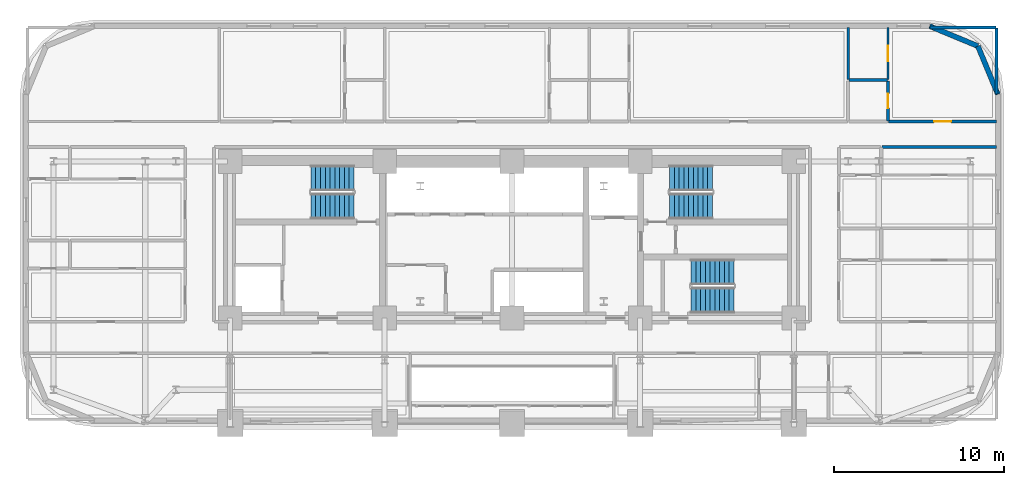
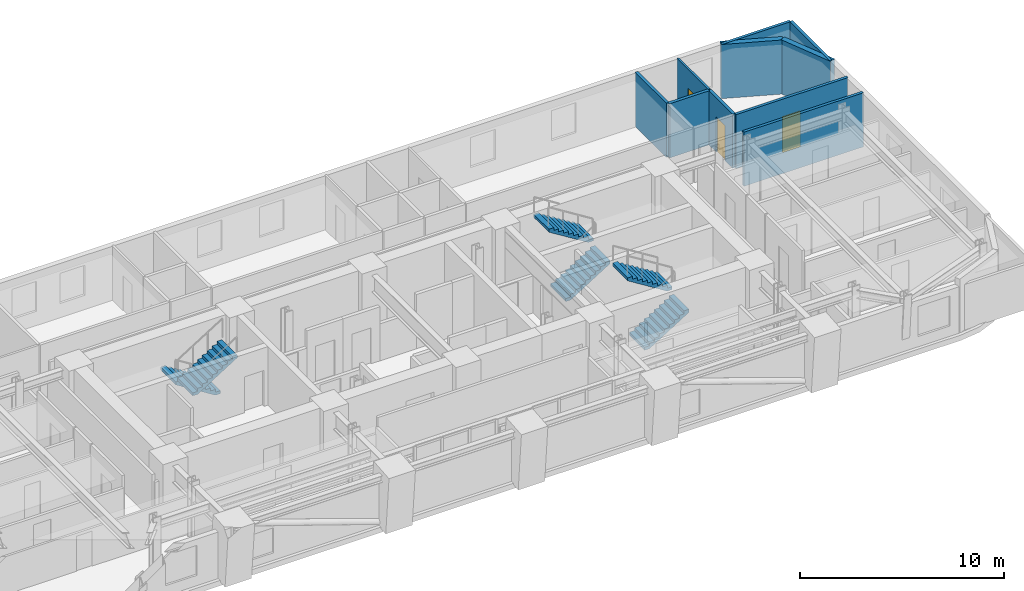
# One storey, part 12 of 15: 10 walls, 6 stair flights, 3 doors, 3 openings, 3 elements without a shape of their own.
"""IFC4 building model written with IfcOpenShell, lengths in metres."""

from ifc_helpers import new_model, si_unit, direction, frame, frame_2d, origin, place, context, subcontext, project, spatial, polyline, rectangle, outline, extrude, material, layer, layer_set, type_object, element, fill, aggregate, save


model = new_model("IFC4")

# Units and contexts
model_context = context("Model", 3, precision=1e-05, world=origin(), true_north=direction((0.0, 1.0)))
body_context = subcontext(model_context, "Body", "Model", "MODEL_VIEW")
ifc_project = project(units=[si_unit("LENGTHUNIT", "METRE"), si_unit("AREAUNIT", "SQUARE_METRE"), si_unit("VOLUMEUNIT", "CUBIC_METRE"), si_unit("PLANEANGLEUNIT", "RADIAN"), si_unit("MASSUNIT", "GRAM", prefix="KILO")], contexts=[model_context])

# Site, building, storey
site_placement = place(None, origin())
site = spatial("IfcSite", under=ifc_project, at=site_placement, CompositionType="ELEMENT")
building_placement = place(site_placement, origin())
building = spatial("IfcBuilding", under=site, at=building_placement, Name="Zarnavel Station Tower", CompositionType="ELEMENT")
storey_placement = place(building_placement, frame((0.0, 0.0, 50.0)))
storey = spatial("IfcBuildingStorey", under=building, at=storey_placement, Name="L13", CompositionType="ELEMENT", Elevation=50.0)

# Walls
ifc_material_1 = material(Name="Precast concrete C45/55 (Dark Basalt Finish)", Category="masonry")
ifc_layer_1 = layer(ifc_material_1, 0.300048828125)
ifc_layer_set_1 = layer_set([ifc_layer_1], Name="EW_BASALT_300")
wall_type_1 = type_object("IfcWallType", Name="EW_BASALT_300", PredefinedType="SOLIDWALL", material=ifc_layer_set_1)
wall_1_placement = place(storey_placement, frame((56.24267578125, 43.842529296875, 0.0), z_axis=(0.0, 0.0, 1.0), x_axis=(0.382636798336, -0.92389884758, 0.0)))
element("IfcWall", 1, at=wall_1_placement, inside=storey, type_object=wall_type_1, Name="L13 Exterior Basalt Masonry Frame Wall 04", PredefinedType="SOLIDWALL", context=body_context, shape_type="SweptSolid", body=[
    extrude(rectangle(XDim=3.07666015625, YDim=0.300048828125, at=frame_2d((1.538330078125, 0.0))), origin(), (0.0, 0.0, 1.0), 3.239990234375),
])
wall_2_placement = place(storey_placement, frame((53.39990234375, 45.02001953125, 0.0), z_axis=(0.0, 0.0, 1.0), x_axis=(0.923882414032, -0.382676475685, 0.0)))
element("IfcWall", 2, at=wall_2_placement, inside=storey, type_object=wall_type_1, Name="L13 Exterior Basalt Masonry Frame Wall 05", PredefinedType="SOLIDWALL", context=body_context, shape_type="SweptSolid", body=[
    extrude(rectangle(XDim=3.076904296875, YDim=0.300048828125, at=frame_2d((1.53857421875, 0.0))), origin(), (0.0, 0.0, 1.0), 3.239990234375),
])
ifc_material_2 = material(Name="Gypsum Twin-Stud Acoustic Fire Partition", Category="concrete")
ifc_layer_2 = layer(ifc_material_2, 0.159912109375)
ifc_layer_set_2 = layer_set([ifc_layer_2], Name="PT_DEMISE_160")
wall_type_2 = type_object("IfcWallType", Name="PT_DEMISE_160", PredefinedType="PARTITIONING", material=ifc_layer_set_2)
wall_3_placement = place(storey_placement, frame((50.590087890625, 37.89990234375, 0.0), z_axis=(0.0, 0.0, 1.0), x_axis=(1.0, 0.0, 0.0)))
element("IfcWall", 3, at=wall_3_placement, inside=storey, type_object=wall_type_2, Name="L13 Partition COR-N-FNE2S", PredefinedType="PARTITIONING", context=body_context, shape_type="SweptSolid", body=[
    extrude(rectangle(XDim=6.75, YDim=0.159912109375, at=frame_2d((3.375, 0.0))), origin(), (0.0, 0.0, 1.0), 3.239990234375),
])

# Wall, opening, door
wall_4_placement = place(storey_placement, frame((50.989990234375, 39.39990234375, 0.0), z_axis=(0.0, 0.0, 1.0), x_axis=(1.0, 0.0, 0.0)))
wall_4 = element("IfcWall", 4, at=wall_4_placement, inside=storey, type_object=wall_type_2, Name="L13 Partition COR-N-HN4R", PredefinedType="PARTITIONING", context=body_context, shape_type="SweptSolid", body=[
    extrude(rectangle(XDim=6.35009765625, YDim=0.159912109375, at=frame_2d((3.175048828125, 0.0))), origin(), (0.0, 0.0, 1.0), 3.239990234375),
])
opening_1_placement = place(wall_4_placement, frame((2.675048828125, 0.0, 0.0)))
opening_1 = element("IfcOpeningElement", 5, at=opening_1_placement, cuts=wall_4, Name="Opening FD02", PredefinedType="OPENING", context=body_context, shape_type="SweptSolid", body=[
    extrude(rectangle(XDim=1.0, YDim=2.14990234375, at=frame_2d((0.5, 1.074951171875))), frame((0.0, 0.08984375, 0.0), z_axis=(0.0, -1.0, 0.0), x_axis=(1.0, 0.0, 0.0)), (0.0, 0.0, 1.0), 0.179931640625),
])
ifc_material_3 = material(Name="Painted Galvanised Steel and Hardwood Leaf", Category="steel")
door_type_1 = type_object("IfcDoorType", Name="ID_ENTRY_1000", OperationType="NOTDEFINED", PredefinedType="DOOR", material=ifc_material_3)
door_1_placement = place(opening_1_placement, origin())
door_1 = element("IfcDoor", 6, at=door_1_placement, inside=storey, type_object=door_type_1, Name="L13 Door COR-N-HN4R", OperationType="SINGLE_SWING_RIGHT", OverallHeight=2.14990234375, OverallWidth=1.0, PredefinedType="DOOR", context=body_context, shape_type="SweptSolid", body=[
    extrude(rectangle(XDim=1.0, YDim=2.14990234375, at=frame_2d((0.5, 1.074951171875))), frame((0.0, 0.02490234375, 0.0), z_axis=(0.0, -1.0, 0.0), x_axis=(1.0, 0.0, 0.0)), (0.0, 0.0, 1.0), 0.050048828125),
])
fill(opening_1, door_1)

# Walls
wall_5_placement = place(storey_placement, frame((48.60009765625, 41.8779296875, 0.0), z_axis=(0.0, 0.0, 1.0), x_axis=(0.0, 1.0, 0.0)))
element("IfcWall", 7, at=wall_5_placement, inside=storey, type_object=wall_type_2, Name="L13 Partition HN3R-HN4S", PredefinedType="PARTITIONING", context=body_context, shape_type="SweptSolid", body=[
    extrude(rectangle(XDim=3.06201171875, YDim=0.159912109375, at=frame_2d((1.531005859375, 0.0))), origin(), (0.0, 0.0, 1.0), 3.239990234375),
])
wall_6_placement = place(storey_placement, frame((53.429931640625, 44.93994140625, 0.0), z_axis=(0.0, 0.0, 1.0), x_axis=(1.0, 0.0, 0.0)))
element("IfcWall", 8, at=wall_6_placement, inside=storey, type_object=wall_type_2, Name="L13 Enclosure Wall HN4R", PredefinedType="PARTITIONING", context=body_context, shape_type="SweptSolid", body=[
    extrude(rectangle(XDim=3.880126953125, YDim=0.159912109375, at=frame_2d((1.93994140625, 0.0))), origin(), (0.0, 0.0, 1.0), 3.239990234375),
])
wall_7_placement = place(storey_placement, frame((57.340087890625, 41.030029296875, 0.0), z_axis=(0.0, 0.0, 1.0), x_axis=(0.0, 1.0, 0.0)))
element("IfcWall", 9, at=wall_7_placement, inside=storey, type_object=wall_type_2, Name="L13 Enclosure Wall HN4R", PredefinedType="PARTITIONING", context=body_context, shape_type="SweptSolid", body=[
    extrude(rectangle(XDim=3.8798828125, YDim=0.159912109375, at=frame_2d((1.93994140625, 0.0))), origin(), (0.0, 0.0, 1.0), 3.239990234375),
])

# Wall, opening, door
ifc_material_4 = material(Name="Gypsum Metal-Stud Interior Partition", Category="concrete")
ifc_layer_3 = layer(ifc_material_4, 0.1201171875)
ifc_layer_set_3 = layer_set([ifc_layer_3], Name="PT_ROOM_120")
wall_type_3 = type_object("IfcWallType", Name="PT_ROOM_120", PredefinedType="PARTITIONING", material=ifc_layer_set_3)
wall_8_placement = place(storey_placement, frame((50.949951171875, 41.8779296875, 0.0), z_axis=(0.0, 0.0, 1.0), x_axis=(0.0, 1.0, 0.0)))
wall_8 = element("IfcWall", 10, at=wall_8_placement, inside=storey, type_object=wall_type_3, Name="L13 Partition HN4R-HN4S", PredefinedType="PARTITIONING", context=body_context, shape_type="SweptSolid", body=[
    extrude(rectangle(XDim=3.06201171875, YDim=0.1201171875, at=frame_2d((1.531005859375, 0.0))), origin(), (0.0, 0.0, 1.0), 3.239990234375),
])
opening_2_placement = place(wall_8_placement, frame((1.0810546875, 0.0, 0.0)))
opening_2 = element("IfcOpeningElement", 11, at=opening_2_placement, cuts=wall_8, Name="Opening ID01", PredefinedType="OPENING", context=body_context, shape_type="SweptSolid", body=[
    extrude(rectangle(XDim=0.89990234375, YDim=2.10009765625, at=frame_2d((0.449951171875, 1.050048828125))), frame((0.0, 0.070068359375, 0.0), z_axis=(0.0, -1.0, 0.0), x_axis=(1.0, 0.0, 0.0)), (0.0, 0.0, 1.0), 0.14013671875),
])
ifc_material_5 = material(Name="Painted Galvanised Steel and Hardwood Leaf", Category="steel")
door_type_2 = type_object("IfcDoorType", Name="ID_ROOM_900", OperationType="NOTDEFINED", PredefinedType="DOOR", material=ifc_material_5)
door_2_placement = place(opening_2_placement, origin())
door_2 = element("IfcDoor", 12, at=door_2_placement, inside=storey, type_object=door_type_2, Name="L13 Door HN4R-HN4S", OperationType="SINGLE_SWING_RIGHT", OverallHeight=2.10009765625, OverallWidth=0.89990234375, PredefinedType="DOOR", context=body_context, shape_type="SweptSolid", body=[
    extrude(rectangle(XDim=0.89990234375, YDim=2.10009765625, at=frame_2d((0.449951171875, 1.050048828125))), frame((0.0, 0.02490234375, 0.0), z_axis=(0.0, -1.0, 0.0), x_axis=(1.0, 0.0, 0.0)), (0.0, 0.0, 1.0), 0.050048828125),
])
fill(opening_2, door_2)

ifc_material_6 = material(Name="Moisture-Resistant Plumbing Chase Wall", Category="concrete")
ifc_layer_4 = layer(ifc_material_6, 0.179931640625)
ifc_layer_set_4 = layer_set([ifc_layer_4], Name="PW_PLUMB_180")
wall_type_4 = type_object("IfcWallType", Name="PW_PLUMB_180", PredefinedType="PLUMBINGWALL", material=ifc_layer_set_4)
wall_9_placement = place(storey_placement, frame((50.949951171875, 39.43994140625, 0.0), z_axis=(0.0, 0.0, 1.0), x_axis=(0.0, 1.0, 0.0)))
wall_9 = element("IfcWall", 13, at=wall_9_placement, inside=storey, type_object=wall_type_4, Name="L13 Partition HN4R-HN4B", PredefinedType="PLUMBINGWALL", context=body_context, shape_type="SweptSolid", body=[
    extrude(rectangle(XDim=2.358154296875, YDim=0.179931640625, at=frame_2d((1.17919921875, 0.0))), origin(), (0.0, 0.0, 1.0), 3.239990234375),
])
opening_3_placement = place(wall_9_placement, frame((0.75390625, 0.0, 0.0)))
opening_3 = element("IfcOpeningElement", 14, at=opening_3_placement, cuts=wall_9, Name="Opening ID02", PredefinedType="OPENING", context=body_context, shape_type="SweptSolid", body=[
    extrude(rectangle(XDim=0.85009765625, YDim=2.10009765625, at=frame_2d((0.425048828125, 1.050048828125))), frame((0.0, 0.099853515625, 0.0), z_axis=(0.0, -1.0, 0.0), x_axis=(1.0, 0.0, 0.0)), (0.0, 0.0, 1.0), 0.199951171875),
])
ifc_material_7 = material(Name="Painted Galvanised Steel and Hardwood Leaf", Category="steel")
door_type_3 = type_object("IfcDoorType", Name="ID_BATH_850", OperationType="NOTDEFINED", PredefinedType="DOOR", material=ifc_material_7)
door_3_placement = place(opening_3_placement, origin())
door_3 = element("IfcDoor", 15, at=door_3_placement, inside=storey, type_object=door_type_3, Name="L13 Door HN4R-HN4B", OperationType="SINGLE_SWING_LEFT", OverallHeight=2.10009765625, OverallWidth=0.85009765625, PredefinedType="DOOR", context=body_context, shape_type="SweptSolid", body=[
    extrude(rectangle(XDim=0.85009765625, YDim=2.10009765625, at=frame_2d((0.425048828125, 1.050048828125))), frame((0.0, 0.02490234375, 0.0), z_axis=(0.0, -1.0, 0.0), x_axis=(1.0, 0.0, 0.0)), (0.0, 0.0, 1.0), 0.050048828125),
])
fill(opening_3, door_3)

# Wall
wall_10_placement = place(storey_placement, frame((48.639892578125, 41.837890625, 0.0), z_axis=(0.0, 0.0, 1.0), x_axis=(1.0, 0.0, 0.0)))
element("IfcWall", 16, at=wall_10_placement, inside=storey, type_object=wall_type_4, Name="L13 Partition HN4B-HN4S", PredefinedType="PLUMBINGWALL", context=body_context, shape_type="SweptSolid", body=[
    extrude(rectangle(XDim=2.27001953125, YDim=0.179931640625, at=frame_2d((1.135009765625, 0.0))), origin(), (0.0, 0.0, 1.0), 3.239990234375),
])

# Stair, stair flights
ifc_material_8 = material(Name="Concrete C45/55", Category="concrete")
stair_type = type_object("IfcStairType", Name="ST_CORE_150", PredefinedType="HALF_TURN_STAIR", material=ifc_material_8)
stair_1_placement = place(storey_placement, origin())
stair_1 = element("IfcStair", 17, at=stair_1_placement, inside=storey, type_object=stair_type, Name="L13 Core Exit Stair ST1", PredefinedType="HALF_TURN_STAIR")
ifc_material_9 = material(Name="Concrete C45/55", Category="concrete")
ifc_layer_5 = layer(ifc_material_9, 0.179931640625)
ifc_layer_set_5 = layer_set([ifc_layer_5], Name="ST_CORE_150_FLT")
stair_flight_type = type_object("IfcStairFlightType", Name="ST_CORE_150_FLT", PredefinedType="STRAIGHT", material=ifc_layer_set_5)
stair_flight_1_placement = place(storey_placement, frame((19.47998046875, 36.070068359375, 0.0), z_axis=(0.0, 0.0, 1.0), x_axis=(-1.0, 0.0, 0.0)))
stair_flight_1 = element("IfcStairFlight", 18, at=stair_flight_1_placement, type_object=stair_flight_type, Name="ST1 flight 1", NumberOfRisers=10, NumberOfTreads=9, PredefinedType="STRAIGHT", RiserHeight=0.175, TreadLength=0.28, context=body_context, shape_type="SweptSolid", body=[
    extrude(outline(polyline([(0.0, 0.0), (0.0, 0.175048828125), (0.280029296875, 0.175048828125), (0.280029296875, 0.35009765625), (0.56005859375, 0.35009765625), (0.56005859375, 0.52490234375), (0.840087890625, 0.52490234375), (0.840087890625, 0.699951171875), (1.1201171875, 0.699951171875), (1.1201171875, 0.875), (1.39990234375, 0.875), (1.39990234375, 1.050048828125), (1.679931640625, 1.050048828125), (1.679931640625, 1.22509765625), (1.9599609375, 1.22509765625), (1.9599609375, 1.39990234375), (2.239990234375, 1.39990234375), (2.239990234375, 1.574951171875), (2.52001953125, 1.574951171875), (2.52001953125, 1.75), (2.52001953125, 1.398193359375), (0.28271484375, 0.0), (0.0, 0.0)])), frame((0.0, 0.75, 0.0), z_axis=(0.0, -1.0, 0.0), x_axis=(1.0, 0.0, 0.0)), (0.0, 0.0, 1.0), 1.5),
])
stair_flight_2_placement = place(storey_placement, frame((16.9599609375, 34.409912109375, 1.75), z_axis=(0.0, 0.0, 1.0), x_axis=(1.0, 0.0, 0.0)))
stair_flight_2 = element("IfcStairFlight", 19, at=stair_flight_2_placement, type_object=stair_flight_type, Name="ST1 flight 2", NumberOfRisers=10, NumberOfTreads=9, PredefinedType="STRAIGHT", RiserHeight=0.175, TreadLength=0.28, context=body_context, shape_type="SweptSolid", body=[
    extrude(outline(polyline([(0.0, 0.0), (0.0, 0.175048828125), (0.280029296875, 0.175048828125), (0.280029296875, 0.35009765625), (0.56005859375, 0.35009765625), (0.56005859375, 0.52490234375), (0.840087890625, 0.52490234375), (0.840087890625, 0.699951171875), (1.1201171875, 0.699951171875), (1.1201171875, 0.875), (1.39990234375, 0.875), (1.39990234375, 1.050048828125), (1.679931640625, 1.050048828125), (1.679931640625, 1.22509765625), (1.9599609375, 1.22509765625), (1.9599609375, 1.39990234375), (2.239990234375, 1.39990234375), (2.239990234375, 1.574951171875), (2.52001953125, 1.574951171875), (2.52001953125, 1.75), (2.52001953125, 1.398193359375), (0.28271484375, 0.0), (0.0, 0.0)])), frame((0.0, 0.75, 0.0), z_axis=(0.0, -1.0, 0.0), x_axis=(1.0, 0.0, 0.0)), (0.0, 0.0, 1.0), 1.5),
])
aggregate(stair_1, [stair_flight_1, stair_flight_2])

stair_2_placement = place(storey_placement, origin())
stair_2 = element("IfcStair", 20, at=stair_2_placement, inside=storey, type_object=stair_type, Name="L13 Core Exit Stair ST2", PredefinedType="HALF_TURN_STAIR")
stair_flight_3_placement = place(storey_placement, frame((38.080078125, 34.409912109375, 0.0), z_axis=(0.0, 0.0, 1.0), x_axis=(1.0, 0.0, 0.0)))
stair_flight_3 = element("IfcStairFlight", 21, at=stair_flight_3_placement, type_object=stair_flight_type, Name="ST2 flight 1", NumberOfRisers=10, NumberOfTreads=9, PredefinedType="STRAIGHT", RiserHeight=0.175, TreadLength=0.28, context=body_context, shape_type="SweptSolid", body=[
    extrude(outline(polyline([(0.0, 0.0), (0.0, 0.175048828125), (0.280029296875, 0.175048828125), (0.280029296875, 0.35009765625), (0.56005859375, 0.35009765625), (0.56005859375, 0.52490234375), (0.840087890625, 0.52490234375), (0.840087890625, 0.699951171875), (1.1201171875, 0.699951171875), (1.1201171875, 0.875), (1.39990234375, 0.875), (1.39990234375, 1.050048828125), (1.679931640625, 1.050048828125), (1.679931640625, 1.22509765625), (1.9599609375, 1.22509765625), (1.9599609375, 1.39990234375), (2.239990234375, 1.39990234375), (2.239990234375, 1.574951171875), (2.52001953125, 1.574951171875), (2.52001953125, 1.75), (2.52001953125, 1.398193359375), (0.28271484375, 0.0), (0.0, 0.0)])), frame((0.0, 0.75, 0.0), z_axis=(0.0, -1.0, 0.0), x_axis=(1.0, 0.0, 0.0)), (0.0, 0.0, 1.0), 1.5),
])
stair_flight_4_placement = place(storey_placement, frame((40.60009765625, 36.070068359375, 1.75), z_axis=(0.0, 0.0, 1.0), x_axis=(-1.0, 0.0, 0.0)))
stair_flight_4 = element("IfcStairFlight", 22, at=stair_flight_4_placement, type_object=stair_flight_type, Name="ST2 flight 2", NumberOfRisers=10, NumberOfTreads=9, PredefinedType="STRAIGHT", RiserHeight=0.175, TreadLength=0.28, context=body_context, shape_type="SweptSolid", body=[
    extrude(outline(polyline([(0.0, 0.0), (0.0, 0.175048828125), (0.280029296875, 0.175048828125), (0.280029296875, 0.35009765625), (0.56005859375, 0.35009765625), (0.56005859375, 0.52490234375), (0.840087890625, 0.52490234375), (0.840087890625, 0.699951171875), (1.1201171875, 0.699951171875), (1.1201171875, 0.875), (1.39990234375, 0.875), (1.39990234375, 1.050048828125), (1.679931640625, 1.050048828125), (1.679931640625, 1.22509765625), (1.9599609375, 1.22509765625), (1.9599609375, 1.39990234375), (2.239990234375, 1.39990234375), (2.239990234375, 1.574951171875), (2.52001953125, 1.574951171875), (2.52001953125, 1.75), (2.52001953125, 1.398193359375), (0.28271484375, 0.0), (0.0, 0.0)])), frame((0.0, 0.75, 0.0), z_axis=(0.0, -1.0, 0.0), x_axis=(1.0, 0.0, 0.0)), (0.0, 0.0, 1.0), 1.5),
])
aggregate(stair_2, [stair_flight_3, stair_flight_4])

stair_3_placement = place(storey_placement, origin())
stair_3 = element("IfcStair", 23, at=stair_3_placement, inside=storey, type_object=stair_type, Name="L13 Core Exit Stair ST3", PredefinedType="HALF_TURN_STAIR")
stair_flight_5_placement = place(storey_placement, frame((39.35009765625, 28.8701171875, 0.0), z_axis=(0.0, 0.0, 1.0), x_axis=(1.0, 0.0, 0.0)))
stair_flight_5 = element("IfcStairFlight", 24, at=stair_flight_5_placement, type_object=stair_flight_type, Name="ST3 flight 1", NumberOfRisers=10, NumberOfTreads=9, PredefinedType="STRAIGHT", RiserHeight=0.175, TreadLength=0.28, context=body_context, shape_type="SweptSolid", body=[
    extrude(outline(polyline([(0.0, 0.0), (0.0, 0.175048828125), (0.280029296875, 0.175048828125), (0.280029296875, 0.35009765625), (0.56005859375, 0.35009765625), (0.56005859375, 0.52490234375), (0.840087890625, 0.52490234375), (0.840087890625, 0.699951171875), (1.1201171875, 0.699951171875), (1.1201171875, 0.875), (1.39990234375, 0.875), (1.39990234375, 1.050048828125), (1.679931640625, 1.050048828125), (1.679931640625, 1.22509765625), (1.9599609375, 1.22509765625), (1.9599609375, 1.39990234375), (2.239990234375, 1.39990234375), (2.239990234375, 1.574951171875), (2.52001953125, 1.574951171875), (2.52001953125, 1.75), (2.52001953125, 1.398193359375), (0.28271484375, 0.0), (0.0, 0.0)])), frame((0.0, 0.75, 0.0), z_axis=(0.0, -1.0, 0.0), x_axis=(1.0, 0.0, 0.0)), (0.0, 0.0, 1.0), 1.5),
])
stair_flight_6_placement = place(storey_placement, frame((41.8701171875, 30.530029296875, 1.75), z_axis=(0.0, 0.0, 1.0), x_axis=(-1.0, 0.0, 0.0)))
stair_flight_6 = element("IfcStairFlight", 25, at=stair_flight_6_placement, type_object=stair_flight_type, Name="ST3 flight 2", NumberOfRisers=10, NumberOfTreads=9, PredefinedType="STRAIGHT", RiserHeight=0.175, TreadLength=0.28, context=body_context, shape_type="SweptSolid", body=[
    extrude(outline(polyline([(0.0, 0.0), (0.0, 0.175048828125), (0.280029296875, 0.175048828125), (0.280029296875, 0.35009765625), (0.56005859375, 0.35009765625), (0.56005859375, 0.52490234375), (0.840087890625, 0.52490234375), (0.840087890625, 0.699951171875), (1.1201171875, 0.699951171875), (1.1201171875, 0.875), (1.39990234375, 0.875), (1.39990234375, 1.050048828125), (1.679931640625, 1.050048828125), (1.679931640625, 1.22509765625), (1.9599609375, 1.22509765625), (1.9599609375, 1.39990234375), (2.239990234375, 1.39990234375), (2.239990234375, 1.574951171875), (2.52001953125, 1.574951171875), (2.52001953125, 1.75), (2.52001953125, 1.398193359375), (0.28271484375, 0.0), (0.0, 0.0)])), frame((0.0, 0.75, 0.0), z_axis=(0.0, -1.0, 0.0), x_axis=(1.0, 0.0, 0.0)), (0.0, 0.0, 1.0), 1.5),
])
aggregate(stair_3, [stair_flight_5, stair_flight_6])

save(model, "model.ifc")
